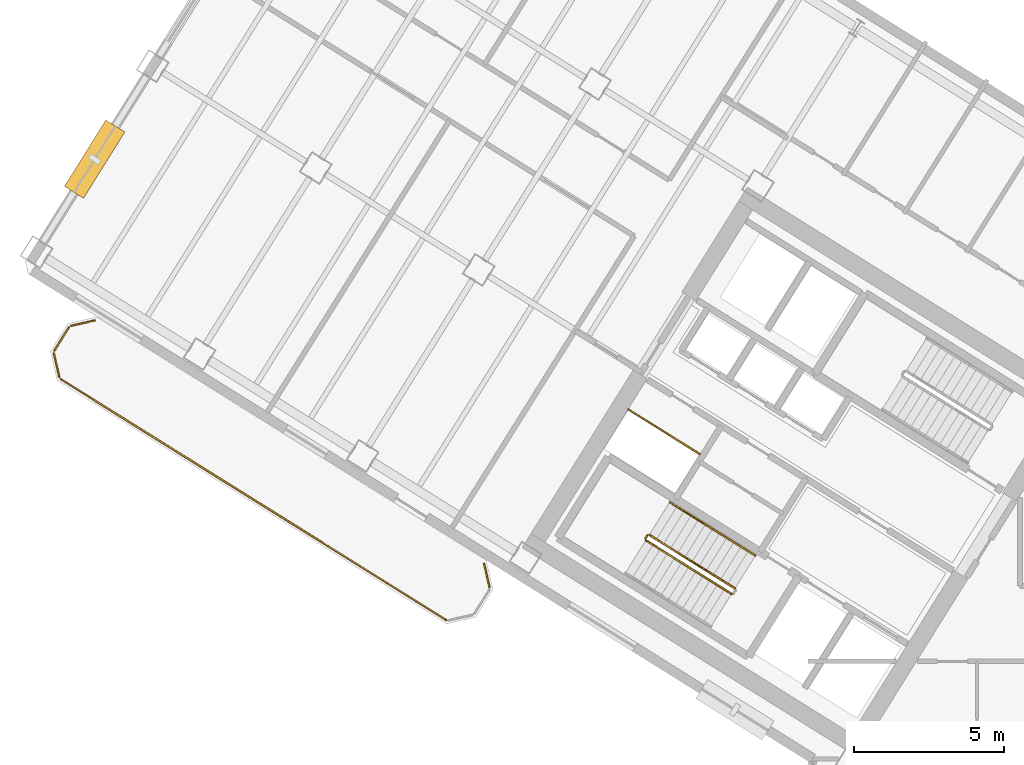
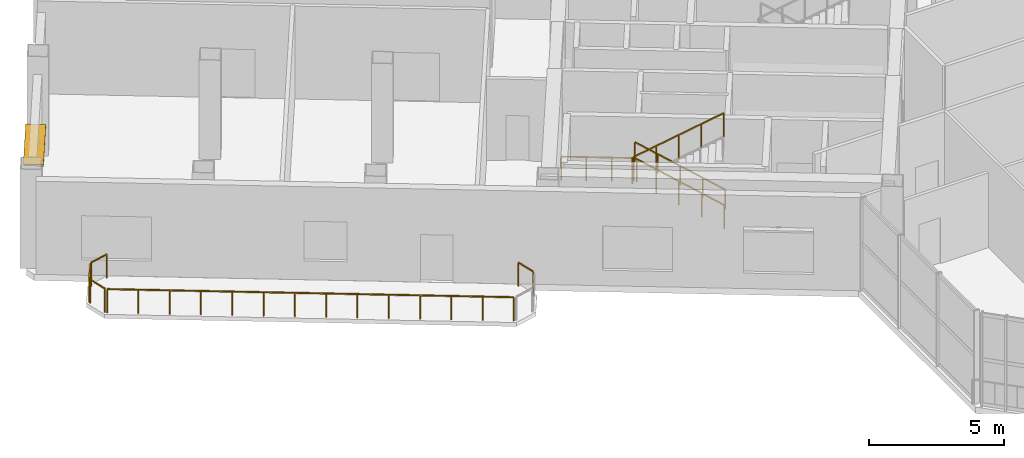
# One storey, part 17 of 20: 11 railings, 1 shading device.
"""IFC4 building model written with IfcOpenShell, lengths in metres."""

import ifcopenshell
import ifcopenshell.guid

model = None  # the IFC model being written
_history = None  # IfcOwnerHistory: only IFC2X3 demands one
_inside = {}  # id of a spatial element -> (the spatial element, [elements in it])
_under = {}  # id of a project, library or spatial element -> (it, [spatial elements below it])
_declared = {}  # id of a project -> (the project, [libraries it declares])
_typed = {}  # id of a type object -> (the type object, [elements of that type])
_made_of = {}  # id of a material, layer set ... -> (it, [elements and type objects made of it])


def new_model(schema):
    """Start an empty IFC model of exactly this schema.

    Asked for "IFC4X3", IfcOpenShell would pick the latest addendum, in which some entities
    have other attributes; the version numbers below select the first issue.
    IFC2X3 requires an IfcOwnerHistory on every rooted entity: one is made here for all.
    """
    global model, _history
    if schema == "IFC4X3":
        model = ifcopenshell.file(schema_version=(4, 3, 0, 0))
    else:
        model = ifcopenshell.file(schema=schema)
    _inside.clear()
    _under.clear()
    _declared.clear()
    _typed.clear()
    _made_of.clear()
    _history = None
    if model.schema == "IFC2X3":
        org = make("IfcOrganization", Name="unknown")
        user = make(
            "IfcPersonAndOrganization",
            ThePerson=make("IfcPerson", FamilyName="unknown"),
            TheOrganization=org,
        )
        app = make(
            "IfcApplication",
            ApplicationDeveloper=org,
            Version="unknown",
            ApplicationFullName="unknown",
            ApplicationIdentifier="unknown",
        )
        _history = make(
            "IfcOwnerHistory",
            OwningUser=user,
            OwningApplication=app,
            ChangeAction="ADDED",
            CreationDate=0,
        )
    return model


def make(cls, **values):
    """One entity of the class cls with the attributes given. An attribute that is None is left unset."""
    return model.create_entity(
        cls, **{name: value for name, value in values.items() if value is not None}
    )


def rooted(cls, **values):
    """An entity with a GlobalId (a new one), such as an element, a storey or a relation."""
    return make(cls, GlobalId=ifcopenshell.guid.new(), OwnerHistory=_history, **values)


def si_unit(unit_type, name, prefix=None):
    """IfcSIUnit, for example si_unit("LENGTHUNIT", "METRE", prefix="MILLI")."""
    return make("IfcSIUnit", UnitType=unit_type, Prefix=prefix, Name=name)


def assignment(units):
    """IfcUnitAssignment: the units of a project."""
    return None if units is None else make("IfcUnitAssignment", Units=units)


def point(xyz):
    """IfcCartesianPoint."""
    return None if xyz is None else make("IfcCartesianPoint", Coordinates=xyz)


def direction(xyz):
    """IfcDirection."""
    return None if xyz is None else make("IfcDirection", DirectionRatios=xyz)


def frame(location, z_axis=None, x_axis=None):
    """IfcAxis2Placement3D, a coordinate frame: its origin and axes. An axis left out is left unset."""
    return make(
        "IfcAxis2Placement3D",
        Location=point(location),
        Axis=direction(z_axis),
        RefDirection=direction(x_axis),
    )


def frame_2d(location, x_axis=None):
    """IfcAxis2Placement2D, a coordinate frame in the plane: its origin and x axis."""
    return make(
        "IfcAxis2Placement2D", Location=point(location), RefDirection=direction(x_axis)
    )


def origin():
    """The frame at (0, 0, 0) with its axes left unset."""
    return frame((0.0, 0.0, 0.0))


def origin_2d():
    """The frame at (0, 0) in the plane with its x axis left unset."""
    return frame_2d((0.0, 0.0))


def place(relative_to, where):
    """IfcLocalPlacement: puts the frame where relative to a parent placement (None: the world)."""
    return make(
        "IfcLocalPlacement", PlacementRelTo=relative_to, RelativePlacement=where
    )


def context(
    kind, dimensions, precision=None, world=None, true_north=None, identifier=None
):
    """IfcGeometricRepresentationContext, for example the 3D "Model" context."""
    return make(
        "IfcGeometricRepresentationContext",
        ContextIdentifier=identifier,
        ContextType=kind,
        CoordinateSpaceDimension=dimensions,
        Precision=precision,
        WorldCoordinateSystem=world,
        TrueNorth=true_north,
    )


def subcontext(parent, identifier, kind, view, scale=None):
    """IfcGeometricRepresentationSubContext, for example "Body" below "Model"."""
    return make(
        "IfcGeometricRepresentationSubContext",
        ContextIdentifier=identifier,
        ContextType=kind,
        ParentContext=parent,
        TargetScale=scale,
        TargetView=view,
    )


def project(units=None, contexts=None):
    """IfcProject with its units and contexts."""
    return rooted(
        "IfcProject",
        Name="project",
        RepresentationContexts=contexts,
        UnitsInContext=assignment(units),
    )


def spatial(cls, under=None, at=None, **own):
    """A site, building, storey or space (cls), placed at a placement, below another one or the project."""
    s = rooted(cls, ObjectPlacement=at, **own)
    if under is not None:
        _under.setdefault(under.id(), (under, []))[1].append(s)
    return s


def profile(cls, at=None, kind="AREA", **sizes):
    """A parametric profile (cls). Its sizes go by their IFC names, for example OverallWidth=200.0."""
    return make(cls, ProfileType=kind, Position=at, **sizes)


def rectangle(**sizes):
    """IfcRectangleProfileDef."""
    return profile("IfcRectangleProfileDef", **sizes)


def extrude(swept, where, along, depth):
    """IfcExtrudedAreaSolid: the profile swept, set in the frame where, extruded along a direction by depth."""
    return make(
        "IfcExtrudedAreaSolid",
        SweptArea=swept,
        Position=where,
        ExtrudedDirection=direction(along),
        Depth=depth,
    )


def shape(context_of_items, identifier, shape_type, items):
    """IfcShapeRepresentation: the items that make up one representation, for example the "Body"."""
    return make(
        "IfcShapeRepresentation",
        ContextOfItems=context_of_items,
        RepresentationIdentifier=identifier,
        RepresentationType=shape_type,
        Items=items,
    )


def source(mapping_origin, context_of_items, identifier, shape_type, items):
    """IfcRepresentationMap: a shape defined once, which mapped items show again and again."""
    return make(
        "IfcRepresentationMap",
        MappingOrigin=mapping_origin,
        MappedRepresentation=shape(context_of_items, identifier, shape_type, items),
    )


def transform(
    local_origin,
    x_axis=None,
    y_axis=None,
    z_axis=None,
    scale=None,
    scale2=None,
    scale3=None,
    uniform=True,
):
    """IfcCartesianTransformationOperator3D, or its non-uniform kind. x_axis, y_axis, z_axis: its Axis1, 2, 3."""
    if uniform:
        return make(
            "IfcCartesianTransformationOperator3D",
            Axis1=direction(x_axis),
            Axis2=direction(y_axis),
            LocalOrigin=point(local_origin),
            Scale=scale,
            Axis3=direction(z_axis),
        )
    return make(
        "IfcCartesianTransformationOperator3DnonUniform",
        Axis1=direction(x_axis),
        Axis2=direction(y_axis),
        LocalOrigin=point(local_origin),
        Scale=scale,
        Axis3=direction(z_axis),
        Scale2=scale2,
        Scale3=scale3,
    )


def mapped(mapping_source, mapping_target):
    """IfcMappedItem: shows the shape of a source again, moved by a transform."""
    return make(
        "IfcMappedItem", MappingSource=mapping_source, MappingTarget=mapping_target
    )


def material(Name=None, Category=None):
    """IfcMaterial."""
    return make("IfcMaterial", Name=Name, Category=Category)


def layer(
    of_material, thickness, ventilated=None, Name=None, Category=None, Priority=None
):
    """IfcMaterialLayer: one layer of a wall or slab, of a material (None: an air gap)."""
    return make(
        "IfcMaterialLayer",
        Material=of_material,
        LayerThickness=thickness,
        IsVentilated=ventilated,
        Name=Name,
        Category=Category,
        Priority=Priority,
    )


def layer_set(layers, Name=None):
    """IfcMaterialLayerSet."""
    return make("IfcMaterialLayerSet", MaterialLayers=layers, LayerSetName=Name)


def made_of(thing, what):
    """Note that an element or type object is made of a material, layer set ...; save() writes the relation."""
    if what is not None:
        _made_of.setdefault(what.id(), (what, []))[1].append(thing)
    return thing


def type_object(cls, material=None, **own):
    """A type object (cls), such as IfcWallType, which elements share."""
    return made_of(rooted(cls, **own), material)


def element(
    cls,
    number,
    at=None,
    inside=None,
    cuts=None,
    type_object=None,
    material=None,
    context=None,
    identifier="Body",
    shape_type=None,
    held_by="IfcProductDefinitionShape",
    body=None,
    shapes=None,
    **own,
):
    """One element of the class cls, such as IfcWall. Its Tag is "e" and its number.

    at: its placement. inside: the storey or other place that contains it. cuts: it is an
    opening in that element (IfcRelVoidsElement). A single representation is given by context,
    identifier, shape_type and body (its items); several are given by shapes. held_by: the class
    of the entity that holds the representations. save() writes the other relations.
    """
    e = rooted(cls, Tag="e%d" % number, ObjectPlacement=at, **own)
    if body is not None:
        shapes = [shape(context, identifier, shape_type, body)]
    if shapes is not None:
        e.Representation = make(held_by, Representations=shapes)
    if inside is not None:
        _inside.setdefault(inside.id(), (inside, []))[1].append(e)
    if cuts is not None:
        rooted(
            "IfcRelVoidsElement", RelatingBuildingElement=cuts, RelatedOpeningElement=e
        )
    if type_object is not None:
        _typed.setdefault(type_object.id(), (type_object, []))[1].append(e)
    return made_of(e, material)


def aggregate(whole, parts):
    """IfcRelAggregates: a whole, such as a stair, and the parts it consists of."""
    return rooted("IfcRelAggregates", RelatingObject=whole, RelatedObjects=parts)


def save(model, path):
    """Write the relations noted so far, then the file.

    IfcRelAggregates (storeys below a building ...), IfcRelContainedInSpatialStructure (elements
    in a storey), IfcRelDefinesByType, IfcRelAssociatesMaterial and IfcRelDeclares: one each for
    every whole, place, type object, material and project.
    """
    for whole, parts in _under.values():
        aggregate(whole, parts)
    for where, things in _inside.values():
        rooted(
            "IfcRelContainedInSpatialStructure",
            RelatedElements=things,
            RelatingStructure=where,
        )
    for kind, things in _typed.values():
        rooted("IfcRelDefinesByType", RelatedObjects=things, RelatingType=kind)
    for what, things in _made_of.values():
        rooted("IfcRelAssociatesMaterial", RelatedObjects=things, RelatingMaterial=what)
    for by, libraries in _declared.values():
        rooted("IfcRelDeclares", RelatingContext=by, RelatedDefinitions=libraries)
    model.write(path)


model = new_model("IFC4")

# Units and contexts
model_context = context("Model", 3, precision=1e-05, world=origin(), true_north=direction((0.0, 1.0)))
body_context = subcontext(model_context, "Body", "Model", "MODEL_VIEW")
ifc_project = project(units=[si_unit("LENGTHUNIT", "METRE"), si_unit("AREAUNIT", "SQUARE_METRE"), si_unit("VOLUMEUNIT", "CUBIC_METRE"), si_unit("PLANEANGLEUNIT", "RADIAN"), si_unit("MASSUNIT", "GRAM", prefix="KILO")], contexts=[model_context])

# Site, building, storey
site_placement = place(None, origin())
site = spatial("IfcSite", under=ifc_project, at=site_placement, CompositionType="ELEMENT")
building_placement = place(site_placement, origin())
building = spatial("IfcBuilding", under=site, at=building_placement, Name="Tlacorven Tower", CompositionType="ELEMENT")
storey_placement = place(building_placement, frame((0.0, 0.0, 195.0)))
storey = spatial("IfcBuildingStorey", under=building, at=storey_placement, Name="L49", CompositionType="ELEMENT", Elevation=195.0)

# Railings
ifc_material_1 = material(Name="Aluminium and painted steel balustrade", Category="steel")
railing_type_1 = type_object("IfcRailingType", Name="RL-GRD-1100", PredefinedType="GUARDRAIL", material=ifc_material_1)
shared_shape_1 = source(origin(), body_context, "Body", "SweptSolid", [
    extrude(rectangle(XDim=0.048095703125, YDim=0.048095703125, at=origin_2d()), frame((0.0, 0.0, 1.076171875), z_axis=(-0.848091358275, 0.529850024081, 0.0), x_axis=(-0.529850024081, -0.848091358275, 0.0)), (0.0, 0.0, 1.0), 2.800048828125),
    extrude(rectangle(XDim=0.0419921875, YDim=0.0419921875, at=origin_2d()), origin(), (0.0, 0.0, 1.0), 1.052001953125),
    extrude(rectangle(XDim=0.0419921875, YDim=0.0419921875, at=origin_2d()), frame((-0.79150390625, 0.49462890625, 0.0)), (0.0, 0.0, 1.0), 1.052001953125),
    extrude(rectangle(XDim=0.0419921875, YDim=0.0419921875, at=origin_2d()), frame((-1.583251953125, 0.989013671875, 0.0)), (0.0, 0.0, 1.0), 1.052001953125),
    extrude(rectangle(XDim=0.0419921875, YDim=0.0419921875, at=origin_2d()), frame((-2.374755859375, 1.483642578125, 0.0)), (0.0, 0.0, 1.0), 1.052001953125),
])
railing_1_placement = place(storey_placement, frame((27.9912109375, 22.32080078125, 0.0)))
element("IfcRailing", 1, at=railing_1_placement, inside=storey, type_object=railing_type_1, Name="L49 Electrical Riser W Shaft Guard 1", PredefinedType="GUARDRAIL", context=body_context, shape_type="MappedRepresentation", body=[
    mapped(shared_shape_1, transform((0.0, 0.0, 0.0), scale=1.0)),
])
railing_type_2 = type_object("IfcRailingType", Name="RL-BAL-1100", PredefinedType="BALUSTRADE", material=ifc_material_1)
shared_shape_2 = source(origin(), body_context, "Body", "SweptSolid", [
    extrude(rectangle(XDim=0.048095703125, YDim=0.048095703125, at=origin_2d()), frame((0.0, 0.0, 1.076171875), z_axis=(0.225058334816, -0.974345290916, 0.0), x_axis=(0.974345290916, 0.225058334816, 0.0)), (0.0, 0.0, 1.0), 0.80712890625),
    extrude(rectangle(XDim=0.0419921875, YDim=0.0419921875, at=origin_2d()), origin(), (0.0, 0.0, 1.0), 1.052001953125),
    extrude(rectangle(XDim=0.0419921875, YDim=0.0419921875, at=origin_2d()), frame((0.181640625, -0.786376953125, 0.0)), (0.0, 0.0, 1.0), 1.052001953125),
])
railing_2_placement = place(storey_placement, frame((20.809814453125, 18.671142578125, 0.0)))
element("IfcRailing", 2, at=railing_2_placement, inside=storey, type_object=railing_type_2, Name="BAL-L49-W-OUT Guard Railing 1", PredefinedType="BALUSTRADE", context=body_context, shape_type="MappedRepresentation", body=[
    mapped(shared_shape_2, transform((0.0, 0.0, 0.0), scale=1.0)),
])
shared_shape_3 = source(origin(), body_context, "Body", "SweptSolid", [
    extrude(rectangle(XDim=0.048095703125, YDim=0.048095703125, at=origin_2d()), frame((0.0, 0.0, 1.076171875), z_axis=(-0.225058334816, 0.974345290916, 0.0), x_axis=(-0.974345290916, -0.225058334816, 0.0)), (0.0, 0.0, 1.0), 0.80712890625),
    extrude(rectangle(XDim=0.0419921875, YDim=0.0419921875, at=origin_2d()), origin(), (0.0, 0.0, 1.0), 1.052001953125),
    extrude(rectangle(XDim=0.0419921875, YDim=0.0419921875, at=origin_2d()), frame((-0.181640625, 0.786376953125, 0.0)), (0.0, 0.0, 1.0), 1.052001953125),
])
railing_3_placement = place(storey_placement, frame((6.66650390625, 24.88623046875, 0.0)))
element("IfcRailing", 3, at=railing_3_placement, inside=storey, type_object=railing_type_2, Name="BAL-L49-W-OUT Guard Railing 5", PredefinedType="BALUSTRADE", context=body_context, shape_type="MappedRepresentation", body=[
    mapped(shared_shape_3, transform((0.0, 0.0, 0.0), scale=1.0)),
])
shared_shape_4 = source(origin(), body_context, "Body", "SweptSolid", [
    extrude(rectangle(XDim=0.048095703125, YDim=0.048095703125, at=origin_2d()), frame((0.0, 0.0, 1.076171875), z_axis=(0.974411586182, 0.224771129628, 0.0), x_axis=(-0.224771129628, 0.974411586182, 0.0)), (0.0, 0.0, 1.0), 0.80712890625),
    extrude(rectangle(XDim=0.0419921875, YDim=0.0419921875, at=origin_2d()), origin(), (0.0, 0.0, 1.0), 1.052001953125),
    extrude(rectangle(XDim=0.0419921875, YDim=0.0419921875, at=origin_2d()), frame((0.786376953125, 0.181396484375, 0.0)), (0.0, 0.0, 1.0), 1.052001953125),
])
railing_4_placement = place(storey_placement, frame((7.05859375, 26.591064453125, 0.0)))
element("IfcRailing", 4, at=railing_4_placement, inside=storey, type_object=railing_type_2, Name="BAL-L49-W-OUT Guard Railing 7", PredefinedType="BALUSTRADE", context=body_context, shape_type="MappedRepresentation", body=[
    mapped(shared_shape_4, transform((0.0, 0.0, 0.0), scale=1.0)),
])
shared_shape_5 = source(origin(), body_context, "Body", "SweptSolid", [
    extrude(rectangle(XDim=0.048095703125, YDim=0.048095703125, at=origin_2d()), frame((0.0, 0.0, 1.076171875), z_axis=(0.529998940003, 0.847998304005, 0.0), x_axis=(-0.847998304005, 0.529998940003, 0.0)), (0.0, 0.0, 1.0), 0.912109375),
    extrude(rectangle(XDim=0.0419921875, YDim=0.0419921875, at=origin_2d()), origin(), (0.0, 0.0, 1.0), 1.052001953125),
    extrude(rectangle(XDim=0.0419921875, YDim=0.0419921875, at=origin_2d()), frame((0.4833984375, 0.7734375, 0.0)), (0.0, 0.0, 1.0), 1.052001953125),
])
railing_5_placement = place(storey_placement, frame((6.5, 25.763916015625, 0.0)))
element("IfcRailing", 5, at=railing_5_placement, inside=storey, type_object=railing_type_2, Name="BAL-L49-W-OUT Guard Railing 6", PredefinedType="BALUSTRADE", context=body_context, shape_type="MappedRepresentation", body=[
    mapped(shared_shape_5, transform((0.0, 0.0, 0.0), scale=1.0)),
])
shared_shape_6 = source(origin(), body_context, "Body", "SweptSolid", [
    extrude(rectangle(XDim=0.048095703125, YDim=0.048095703125, at=origin_2d()), frame((0.0, 0.0, 1.076171875), z_axis=(-0.848051830527, 0.529913287944, 0.0), x_axis=(-0.529913287944, -0.848051830527, 0.0)), (0.0, 0.0, 1.0), 15.1171875),
    extrude(rectangle(XDim=0.0419921875, YDim=0.0419921875, at=origin_2d()), origin(), (0.0, 0.0, 1.0), 1.052001953125),
    extrude(rectangle(XDim=0.0419921875, YDim=0.0419921875, at=origin_2d()), frame((-0.986083984375, 0.6162109375, 0.0)), (0.0, 0.0, 1.0), 1.052001953125),
    extrude(rectangle(XDim=0.0419921875, YDim=0.0419921875, at=origin_2d()), frame((-1.972412109375, 1.232421875, 0.0)), (0.0, 0.0, 1.0), 1.052001953125),
    extrude(rectangle(XDim=0.0419921875, YDim=0.0419921875, at=origin_2d()), frame((-2.95849609375, 1.8486328125, 0.0)), (0.0, 0.0, 1.0), 1.052001953125),
    extrude(rectangle(XDim=0.0419921875, YDim=0.0419921875, at=origin_2d()), frame((-3.944580078125, 2.46484375, 0.0)), (0.0, 0.0, 1.0), 1.052001953125),
    extrude(rectangle(XDim=0.0419921875, YDim=0.0419921875, at=origin_2d()), frame((-4.930908203125, 3.0810546875, 0.0)), (0.0, 0.0, 1.0), 1.052001953125),
    extrude(rectangle(XDim=0.0419921875, YDim=0.0419921875, at=origin_2d()), frame((-5.9169921875, 3.697265625, 0.0)), (0.0, 0.0, 1.0), 1.052001953125),
    extrude(rectangle(XDim=0.0419921875, YDim=0.0419921875, at=origin_2d()), frame((-6.903076171875, 4.3134765625, 0.0)), (0.0, 0.0, 1.0), 1.052001953125),
    extrude(rectangle(XDim=0.0419921875, YDim=0.0419921875, at=origin_2d()), frame((-7.88916015625, 4.9296875, 0.0)), (0.0, 0.0, 1.0), 1.052001953125),
    extrude(rectangle(XDim=0.0419921875, YDim=0.0419921875, at=origin_2d()), frame((-8.87548828125, 5.5458984375, 0.0)), (0.0, 0.0, 1.0), 1.052001953125),
    extrude(rectangle(XDim=0.0419921875, YDim=0.0419921875, at=origin_2d()), frame((-9.861572265625, 6.162109375, 0.0)), (0.0, 0.0, 1.0), 1.052001953125),
    extrude(rectangle(XDim=0.0419921875, YDim=0.0419921875, at=origin_2d()), frame((-10.84765625, 6.7783203125, 0.0)), (0.0, 0.0, 1.0), 1.052001953125),
    extrude(rectangle(XDim=0.0419921875, YDim=0.0419921875, at=origin_2d()), frame((-11.833984375, 7.39453125, 0.0)), (0.0, 0.0, 1.0), 1.052001953125),
    extrude(rectangle(XDim=0.0419921875, YDim=0.0419921875, at=origin_2d()), frame((-12.820068359375, 8.0107421875, 0.0)), (0.0, 0.0, 1.0), 1.052001953125),
])
railing_6_placement = place(storey_placement, frame((19.5400390625, 16.80029296875, 0.0)))
element("IfcRailing", 6, at=railing_6_placement, inside=storey, type_object=railing_type_2, Name="BAL-L49-W-OUT Guard Railing 4", PredefinedType="BALUSTRADE", context=body_context, shape_type="MappedRepresentation", body=[
    mapped(shared_shape_6, transform((0.0, 0.0, 0.0), scale=1.0)),
])

# Shading device
ifc_material_2 = material(Name="Anodised bronze aluminium sunshade", Category="aluminium")
ifc_layer = layer(ifc_material_2, 0.080078125)
ifc_layer_set = layer_set([ifc_layer], Name="Anodised bronze aluminium sunshade")
shading_device_type = type_object("IfcShadingDeviceType", Name="SH-SUN-BRZ", PredefinedType="AWNING", material=ifc_layer_set)
shared_shape_7 = source(origin(), body_context, "Body", "SweptSolid", [
    extrude(rectangle(XDim=2.60009765625, YDim=0.75, at=origin_2d()), origin(), (0.0, 0.0, 1.0), 0.080078125),
])
shading_device_placement = place(storey_placement, frame((7.8427734375, 32.1396484375, 2.719970703125), z_axis=(0.0, 0.0, 1.0), x_axis=(0.529919147866, 0.848048168871, 0.0)))
element("IfcShadingDevice", 7, at=shading_device_placement, inside=storey, type_object=shading_device_type, Name="L49 Solar Brise-Soleil Sunshade L49-02.1", PredefinedType="AWNING", context=body_context, shape_type="MappedRepresentation", body=[
    mapped(shared_shape_7, transform((0.0, 0.0, 0.0), scale=1.0)),
])

# Railings
shared_shape_8 = source(origin(), body_context, "Body", "SweptSolid", [
    extrude(rectangle(XDim=0.048095703125, YDim=0.048095703125, at=origin_2d()), frame((0.0, 0.0, 1.076171875), z_axis=(-0.530546985787, -0.847655529016, 0.0), x_axis=(0.847655529016, -0.530546985787, 0.0)), (0.0, 0.0, 1.0), 0.1201171875),
    extrude(rectangle(XDim=0.0419921875, YDim=0.0419921875, at=origin_2d()), origin(), (0.0, 0.0, 1.0), 1.052001953125),
    extrude(rectangle(XDim=0.0419921875, YDim=0.0419921875, at=origin_2d()), frame((-0.063720703125, -0.101806640625, 0.0)), (0.0, 0.0, 1.0), 1.052001953125),
])
railing_7_placement = place(storey_placement, frame((26.242431640625, 19.616455078125, 2.25)))
element("IfcRailing", 8, at=railing_7_placement, inside=storey, type_object=railing_type_1, Name="L49 ST-W1 stair guard 2", PredefinedType="GUARDRAIL", context=body_context, shape_type="MappedRepresentation", body=[
    mapped(shared_shape_8, transform((0.0, 0.0, 0.0), scale=1.0)),
])
shared_shape_9 = source(origin(), body_context, "Body", "SweptSolid", [
    extrude(rectangle(XDim=0.048095703125, YDim=0.048095703125, at=origin_2d()), frame((0.0, 0.0, 1.076171875), z_axis=(-0.721354668439, 0.45076168254, 0.525795918465), x_axis=(-0.529927092104, -0.84804320471, 0.0)), (0.0, 0.0, 1.0), 3.949951171875),
    extrude(rectangle(XDim=0.0419921875, YDim=0.0419921875, at=origin_2d()), origin(), (0.0, 0.0, 1.0), 1.052001953125),
    extrude(rectangle(XDim=0.0419921875, YDim=0.0419921875, at=origin_2d()), frame((-0.71240234375, 0.445068359375, 0.519287109375)), (0.0, 0.0, 1.0), 1.052001953125),
    extrude(rectangle(XDim=0.0419921875, YDim=0.0419921875, at=origin_2d()), frame((-1.4248046875, 0.89013671875, 1.03857421875)), (0.0, 0.0, 1.0), 1.052001953125),
    extrude(rectangle(XDim=0.0419921875, YDim=0.0419921875, at=origin_2d()), frame((-2.136962890625, 1.33544921875, 1.5576171875)), (0.0, 0.0, 1.0), 1.052001953125),
    extrude(rectangle(XDim=0.0419921875, YDim=0.0419921875, at=origin_2d()), frame((-2.849365234375, 1.780517578125, 2.076904296875)), (0.0, 0.0, 1.0), 1.052001953125),
])
railing_8_placement = place(storey_placement, frame((29.16064453125, 17.851806640625, 0.173095703125)))
element("IfcRailing", 9, at=railing_8_placement, inside=storey, type_object=railing_type_1, Name="L49 ST-W1 stair guard 1", PredefinedType="GUARDRAIL", context=body_context, shape_type="MappedRepresentation", body=[
    mapped(shared_shape_9, transform((0.0, 0.0, 0.0), scale=1.0)),
])
shared_shape_10 = source(origin(), body_context, "Body", "SweptSolid", [
    extrude(rectangle(XDim=0.048095703125, YDim=0.048095703125, at=origin_2d()), frame((0.0, 0.0, 1.076171875), z_axis=(0.721384312238, -0.450741585774, 0.525772476372), x_axis=(0.52989443915, 0.848063608085, 0.0)), (0.0, 0.0, 1.0), 3.9501953125),
    extrude(rectangle(XDim=0.0419921875, YDim=0.0419921875, at=origin_2d()), origin(), (0.0, 0.0, 1.0), 1.052001953125),
    extrude(rectangle(XDim=0.0419921875, YDim=0.0419921875, at=origin_2d()), frame((0.71240234375, -0.445068359375, 0.519287109375)), (0.0, 0.0, 1.0), 1.052001953125),
    extrude(rectangle(XDim=0.0419921875, YDim=0.0419921875, at=origin_2d()), frame((1.4248046875, -0.89013671875, 1.03857421875)), (0.0, 0.0, 1.0), 1.052001953125),
    extrude(rectangle(XDim=0.0419921875, YDim=0.0419921875, at=origin_2d()), frame((2.13720703125, -1.33544921875, 1.5576171875)), (0.0, 0.0, 1.0), 1.052001953125),
    extrude(rectangle(XDim=0.0419921875, YDim=0.0419921875, at=origin_2d()), frame((2.849609375, -1.780517578125, 2.076904296875)), (0.0, 0.0, 1.0), 1.052001953125),
])
railing_9_placement = place(storey_placement, frame((26.194580078125, 19.44580078125, 2.423095703125)))
element("IfcRailing", 10, at=railing_9_placement, inside=storey, type_object=railing_type_1, Name="L49 ST-W1 stair guard 3", PredefinedType="GUARDRAIL", context=body_context, shape_type="MappedRepresentation", body=[
    mapped(shared_shape_10, transform((0.0, 0.0, 0.0), scale=1.0)),
])
railing_type_3 = type_object("IfcRailingType", Name="RL-HND-0900", PredefinedType="HANDRAIL", material=ifc_material_1)
shared_shape_11 = source(origin(), body_context, "Body", "SweptSolid", [
    extrude(rectangle(XDim=0.048095703125, YDim=0.048095703125, at=origin_2d()), frame((0.0, 0.0, 0.8759765625), z_axis=(-0.721387654753, 0.450805479247, 0.525713107551), x_axis=(-0.529946692594, -0.848030956397, 0.0)), (0.0, 0.0, 1.0), 1.97509765625),
    extrude(rectangle(XDim=0.0419921875, YDim=0.0419921875, at=origin_2d()), origin(), (0.0, 0.0, 1.0), 0.851806640625),
    extrude(rectangle(XDim=0.0419921875, YDim=0.0419921875, at=origin_2d()), frame((-0.71240234375, 0.4453125, 0.51904296875)), (0.0, 0.0, 1.0), 0.851806640625),
    extrude(rectangle(XDim=0.0419921875, YDim=0.0419921875, at=origin_2d()), frame((-1.4248046875, 0.890380859375, 1.038330078125)), (0.0, 0.0, 1.0), 0.851806640625),
])
railing_10_placement = place(storey_placement, frame((29.839111328125, 18.937255859375, 0.173095703125)))
element("IfcRailing", 11, at=railing_10_placement, inside=storey, type_object=railing_type_3, Name="L49 ST-W1 stair handrail 1", PredefinedType="HANDRAIL", context=body_context, shape_type="MappedRepresentation", body=[
    mapped(shared_shape_11, transform((0.0, 0.0, 0.0), scale=1.0)),
])
shared_shape_12 = source(origin(), body_context, "Body", "SweptSolid", [
    extrude(rectangle(XDim=0.048095703125, YDim=0.048095703125, at=origin_2d()), frame((0.0, 0.0, 0.8759765625), z_axis=(-0.721380964259, 0.45067768946, 0.525831840637), x_axis=(-0.52984217967, -0.848096259066, 0.0)), (0.0, 0.0, 1.0), 1.97509765625),
    extrude(rectangle(XDim=0.0419921875, YDim=0.0419921875, at=origin_2d()), origin(), (0.0, 0.0, 1.0), 0.851806640625),
    extrude(rectangle(XDim=0.0419921875, YDim=0.0419921875, at=origin_2d()), frame((-0.71240234375, 0.445068359375, 0.519287109375)), (0.0, 0.0, 1.0), 0.851806640625),
    extrude(rectangle(XDim=0.0419921875, YDim=0.0419921875, at=origin_2d()), frame((-1.4248046875, 0.89013671875, 1.03857421875)), (0.0, 0.0, 1.0), 0.851806640625),
])
railing_11_placement = place(storey_placement, frame((28.414306640625, 19.82763671875, 1.21142578125)))
element("IfcRailing", 12, at=railing_11_placement, inside=storey, type_object=railing_type_3, Name="L49 ST-W1 stair handrail 2", PredefinedType="HANDRAIL", context=body_context, shape_type="MappedRepresentation", body=[
    mapped(shared_shape_12, transform((0.0, 0.0, 0.0), scale=1.0)),
])

save(model, "model.ifc")
